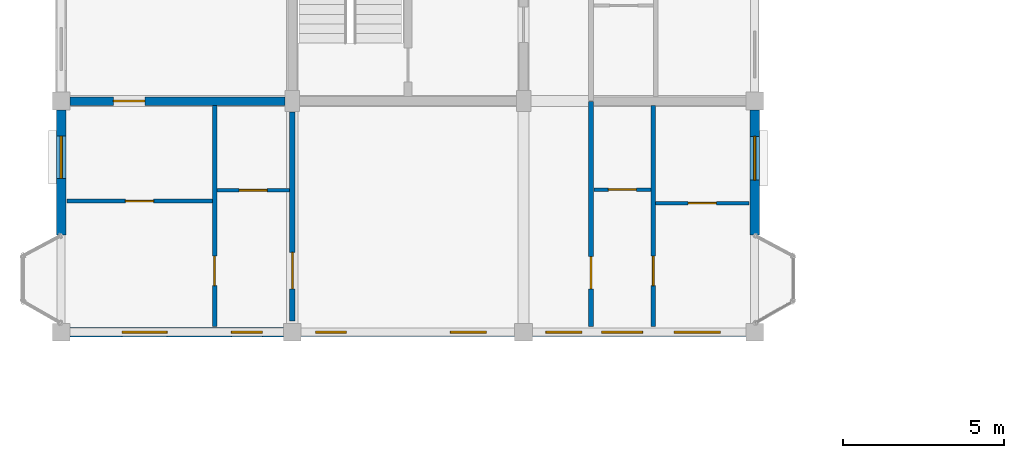
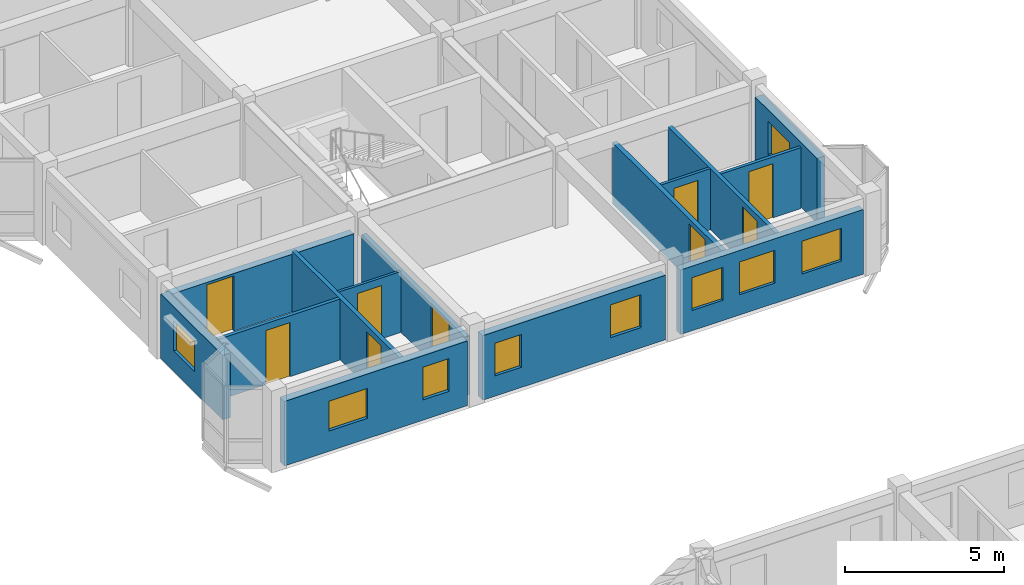
# One storey, part 55 of 77: 14 walls, 9 doors, 9 windows, 18 openings.
"""IFC4 building model written with IfcOpenShell, lengths in metres."""

from ifc_helpers import new_model, si_unit, direction, frame, frame_2d, origin, place, context, subcontext, project, spatial, rectangle, extrude, material, layer, layer_set, type_object, element, fill, save


model = new_model("IFC4")

# Units and contexts
model_context = context("Model", 3, precision=1e-05, world=origin(), true_north=direction((0.0, 1.0)))
body_context = subcontext(model_context, "Body", "Model", "MODEL_VIEW")
ifc_project = project(units=[si_unit("LENGTHUNIT", "METRE"), si_unit("AREAUNIT", "SQUARE_METRE"), si_unit("VOLUMEUNIT", "CUBIC_METRE"), si_unit("PLANEANGLEUNIT", "RADIAN"), si_unit("MASSUNIT", "GRAM", prefix="KILO"), si_unit("THERMODYNAMICTEMPERATUREUNIT", "KELVIN"), si_unit("POWERUNIT", "WATT")], contexts=[model_context])

# Site, building, storey
site_placement = place(None, origin())
site = spatial("IfcSite", under=ifc_project, at=site_placement, CompositionType="ELEMENT")
building_placement = place(site_placement, origin())
building = spatial("IfcBuilding", under=site, at=building_placement, Name="Tavuni Mirador Residences", CompositionType="ELEMENT")
storey_placement = place(building_placement, frame((0.0, 0.0, 10.800048828125)))
storey = spatial("IfcBuildingStorey", under=building, at=storey_placement, Name="L03", CompositionType="ELEMENT", Elevation=10.800048828125)

# Wall, opening, door
ifc_material_1 = material(Name="Precast concrete C40/50", Category="concrete")
ifc_layer_1 = layer(ifc_material_1, 0.1650390625, Name="Precast concrete C40/50", Category="concrete")
ifc_layer_set_1 = layer_set([ifc_layer_1], Name="Precast concrete C40/50")
wall_type_1 = type_object("IfcWallType", Name="WT-CORR165", PredefinedType="PARTITIONING", material=ifc_layer_set_1)
wall_1_placement = place(storey_placement, frame((20.10009765625, 64.97509765625, 0.0), z_axis=(0.0, 0.0, 1.0), x_axis=(0.0, 1.0, 0.0)))
wall_1 = element("IfcWall", 1, at=wall_1_placement, inside=storey, type_object=wall_type_1, Name="CORW-BLK-B-L03-0-00", PredefinedType="PARTITIONING", context=body_context, shape_type="SweptSolid", body=[
    extrude(rectangle(XDim=7.0048828125, YDim=0.1650390625, at=frame_2d((3.50244140625, 0.0))), origin(), (0.0, 0.0, 1.0), 2.344970703125),
])
opening_1_placement = place(wall_1_placement, frame((1.175048828125, 0.0, 0.0)))
opening_1 = element("IfcOpeningElement", 2, at=opening_1_placement, cuts=wall_1, Name="Opening D-03", PredefinedType="OPENING", context=body_context, shape_type="SweptSolid", body=[
    extrude(rectangle(XDim=1.0, YDim=2.14990234375, at=frame_2d((0.5, 1.074951171875))), frame((0.0, 0.092529296875, 0.0), z_axis=(0.0, -1.0, 0.0), x_axis=(1.0, 0.0, 0.0)), (0.0, 0.0, 1.0), 0.18505859375),
])
ifc_material_2 = material(Name="Solid core iroko timber", Category="wood")
door_type_1 = type_object("IfcDoorType", Name="DT-FD60-1000", OperationType="NOTDEFINED", PredefinedType="DOOR", material=ifc_material_2)
door_1_placement = place(opening_1_placement, origin())
door_1 = element("IfcDoor", 3, at=door_1_placement, inside=storey, type_object=door_type_1, Name="DR-2553", OperationType="SINGLE_SWING_RIGHT", OverallHeight=2.14990234375, OverallWidth=1.0, PredefinedType="DOOR", context=body_context, shape_type="SweptSolid", body=[
    extrude(rectangle(XDim=1.0, YDim=2.14990234375, at=frame_2d((0.5, 1.074951171875))), frame((0.0, 0.02490234375, 0.0), z_axis=(0.0, -1.0, 0.0), x_axis=(1.0, 0.0, 0.0)), (0.0, 0.0, 1.0), 0.050048828125),
])
fill(opening_1, door_1)

wall_2_placement = place(storey_placement, frame((10.800048828125, 65.14990234375, 0.0), z_axis=(0.0, 0.0, 1.0), x_axis=(0.0, 1.0, 0.0)))
wall_2 = element("IfcWall", 4, at=wall_2_placement, inside=storey, type_object=wall_type_1, Name="CORW-BLK-B-L03-1-00", PredefinedType="PARTITIONING", context=body_context, shape_type="SweptSolid", body=[
    extrude(rectangle(XDim=6.5, YDim=0.1650390625, at=frame_2d((3.25, 0.0))), origin(), (0.0, 0.0, 1.0), 2.260009765625),
])
opening_2_placement = place(wall_2_placement, frame((1.0, 0.0, 0.0)))
opening_2 = element("IfcOpeningElement", 5, at=opening_2_placement, cuts=wall_2, Name="Opening D-20", PredefinedType="OPENING", context=body_context, shape_type="SweptSolid", body=[
    extrude(rectangle(XDim=1.139892578125, YDim=2.179931640625, at=frame_2d((0.56982421875, 1.08984375))), frame((0.0, 0.092529296875, 0.0), z_axis=(0.0, -1.0, 0.0), x_axis=(1.0, 0.0, 0.0)), (0.0, 0.0, 1.0), 0.18505859375),
])
door_type_2 = type_object("IfcDoorType", Name="DT-FD60-1140", OperationType="NOTDEFINED", PredefinedType="DOOR", material=ifc_material_2)
door_2_placement = place(opening_2_placement, origin())
door_2 = element("IfcDoor", 6, at=door_2_placement, inside=storey, type_object=door_type_2, Name="DR-2558", OperationType="SINGLE_SWING_LEFT", OverallHeight=2.179931640625, OverallWidth=1.139892578125, PredefinedType="DOOR", context=body_context, shape_type="SweptSolid", body=[
    extrude(rectangle(XDim=1.139892578125, YDim=2.179931640625, at=frame_2d((0.56982421875, 1.08984375))), frame((0.0, 0.02490234375, 0.0), z_axis=(0.0, -1.0, 0.0), x_axis=(1.0, 0.0, 0.0)), (0.0, 0.0, 1.0), 0.050048828125),
])
fill(opening_2, door_2)

# Wall, openings, windows
ifc_material_3 = material(Name="Sgraffito lime-rendered precast concrete C40/50", Category="concrete")
ifc_layer_2 = layer(ifc_material_3, 0.2548828125, Name="Sgraffito lime-rendered precast concrete C40/50", Category="concrete")
ifc_layer_set_2 = layer_set([ifc_layer_2], Name="Sgraffito lime-rendered precast concrete C40/50")
wall_type_2 = type_object("IfcWallType", Name="WT-EXT-PC255", PredefinedType="SOLIDWALL", material=ifc_layer_set_2)
wall_3_placement = place(storey_placement, frame((18.27490234375, 64.800048828125, 0.0), z_axis=(0.0, 0.0, 1.0), x_axis=(1.0, 0.0, 0.0)))
wall_3 = element("IfcWall", 7, at=wall_3_placement, inside=storey, type_object=wall_type_2, Name="EW-BLK-B-L03-S02", PredefinedType="SOLIDWALL", context=body_context, shape_type="SweptSolid", body=[
    extrude(rectangle(XDim=6.650146484375, YDim=0.2548828125, at=frame_2d((3.3251953125, 0.0))), origin(), (0.0, 0.0, 1.0), 2.47998046875),
])
opening_3_placement = place(wall_3_placement, frame((0.422607421875, 0.0, 0.780029296875)))
opening_3 = element("IfcOpeningElement", 8, at=opening_3_placement, cuts=wall_3, Name="Opening WN-12", PredefinedType="OPENING", context=body_context, shape_type="SweptSolid", body=[
    extrude(rectangle(XDim=1.1201171875, YDim=1.260009765625, at=frame_2d((0.56005859375, 0.6298828125))), frame((0.0, 0.137451171875, 0.0), z_axis=(0.0, -1.0, 0.0), x_axis=(1.0, 0.0, 0.0)), (0.0, 0.0, 1.0), 0.27490234375),
])
opening_4_placement = place(wall_3_placement, frame((2.155029296875, 0.0, 0.780029296875)))
opening_4 = element("IfcOpeningElement", 9, at=opening_4_placement, cuts=wall_3, Name="Opening WN-14", PredefinedType="OPENING", context=body_context, shape_type="SweptSolid", body=[
    extrude(rectangle(XDim=1.280029296875, YDim=1.260009765625, at=frame_2d((0.64013671875, 0.6298828125))), frame((0.0, 0.137451171875, 0.0), z_axis=(0.0, -1.0, 0.0), x_axis=(1.0, 0.0, 0.0)), (0.0, 0.0, 1.0), 0.27490234375),
])
opening_5_placement = place(wall_3_placement, frame((4.41748046875, 0.0, 0.780029296875)))
opening_5 = element("IfcOpeningElement", 10, at=opening_5_placement, cuts=wall_3, Name="Opening WN-16", PredefinedType="OPENING", context=body_context, shape_type="SweptSolid", body=[
    extrude(rectangle(XDim=1.43994140625, YDim=1.260009765625, at=frame_2d((0.719970703125, 0.6298828125))), frame((0.0, 0.137451171875, 0.0), z_axis=(0.0, -1.0, 0.0), x_axis=(1.0, 0.0, 0.0)), (0.0, 0.0, 1.0), 0.27490234375),
])
ifc_material_4 = material(Name="Laminated solar-control glass", Category="glass")
window_type_1 = type_object("IfcWindowType", Name="WNT-12", PartitioningType="SINGLE_PANEL", PredefinedType="WINDOW", material=ifc_material_4)
window_1_placement = place(opening_3_placement, origin())
window_1 = element("IfcWindow", 11, at=window_1_placement, inside=storey, type_object=window_type_1, Name="WIN-0638", OverallHeight=1.260009765625, OverallWidth=1.1201171875, PartitioningType="SINGLE_PANEL", PredefinedType="WINDOW", context=body_context, shape_type="SweptSolid", body=[
    extrude(rectangle(XDim=1.1201171875, YDim=1.260009765625, at=frame_2d((0.56005859375, 0.6298828125))), frame((0.0, 0.030029296875, 0.0), z_axis=(0.0, -1.0, 0.0), x_axis=(1.0, 0.0, 0.0)), (0.0, 0.0, 1.0), 0.06005859375),
])
fill(opening_3, window_1)
window_type_2 = type_object("IfcWindowType", Name="WNT-14", PartitioningType="SINGLE_PANEL", PredefinedType="WINDOW", material=ifc_material_4)
window_2_placement = place(opening_4_placement, origin())
window_2 = element("IfcWindow", 12, at=window_2_placement, inside=storey, type_object=window_type_2, Name="WIN-0639", OverallHeight=1.260009765625, OverallWidth=1.280029296875, PartitioningType="SINGLE_PANEL", PredefinedType="WINDOW", context=body_context, shape_type="SweptSolid", body=[
    extrude(rectangle(XDim=1.280029296875, YDim=1.260009765625, at=frame_2d((0.64013671875, 0.6298828125))), frame((0.0, 0.030029296875, 0.0), z_axis=(0.0, -1.0, 0.0), x_axis=(1.0, 0.0, 0.0)), (0.0, 0.0, 1.0), 0.06005859375),
])
fill(opening_4, window_2)
window_type_3 = type_object("IfcWindowType", Name="WNT-16", PartitioningType="SINGLE_PANEL", PredefinedType="WINDOW", material=ifc_material_4)
window_3_placement = place(opening_5_placement, origin())
window_3 = element("IfcWindow", 13, at=window_3_placement, inside=storey, type_object=window_type_3, Name="WIN-0640", OverallHeight=1.260009765625, OverallWidth=1.43994140625, PartitioningType="SINGLE_PANEL", PredefinedType="WINDOW", context=body_context, shape_type="SweptSolid", body=[
    extrude(rectangle(XDim=1.43994140625, YDim=1.260009765625, at=frame_2d((0.719970703125, 0.6298828125))), frame((0.0, 0.030029296875, 0.0), z_axis=(0.0, -1.0, 0.0), x_axis=(1.0, 0.0, 0.0)), (0.0, 0.0, 1.0), 0.06005859375),
])
fill(opening_5, window_3)

ifc_layer_3 = layer(ifc_material_3, 0.27490234375, Name="Sgraffito lime-rendered precast concrete C40/50", Category="concrete")
ifc_layer_set_3 = layer_set([ifc_layer_3], Name="Sgraffito lime-rendered precast concrete C40/50")
wall_type_3 = type_object("IfcWallType", Name="WT-EXT-PC275", PredefinedType="SOLIDWALL", material=ifc_layer_set_3)
wall_4_placement = place(storey_placement, frame((11.074951171875, 64.800048828125, 0.0), z_axis=(0.0, 0.0, 1.0), x_axis=(1.0, 0.0, 0.0)))
wall_4 = element("IfcWall", 14, at=wall_4_placement, inside=storey, type_object=wall_type_3, Name="EW-BLK-B-L03-S01", PredefinedType="SOLIDWALL", context=body_context, shape_type="SweptSolid", body=[
    extrude(rectangle(XDim=6.650146484375, YDim=0.27490234375, at=frame_2d((3.3251953125, 0.0))), origin(), (0.0, 0.0, 1.0), 2.47998046875),
])
opening_6_placement = place(wall_4_placement, frame((0.449951171875, 0.0, 0.780029296875)))
opening_6 = element("IfcOpeningElement", 15, at=opening_6_placement, cuts=wall_4, Name="Opening WN-10", PredefinedType="OPENING", context=body_context, shape_type="SweptSolid", body=[
    extrude(rectangle(XDim=0.9599609375, YDim=1.260009765625, at=frame_2d((0.47998046875, 0.6298828125))), frame((0.0, 0.1474609375, 0.0), z_axis=(0.0, -1.0, 0.0), x_axis=(1.0, 0.0, 0.0)), (0.0, 0.0, 1.0), 0.294921875),
])
opening_7_placement = place(wall_4_placement, frame((4.64990234375, 0.0, 0.780029296875)))
opening_7 = element("IfcOpeningElement", 16, at=opening_7_placement, cuts=wall_4, Name="Opening WN-12", PredefinedType="OPENING", context=body_context, shape_type="SweptSolid", body=[
    extrude(rectangle(XDim=1.1201171875, YDim=1.260009765625, at=frame_2d((0.56005859375, 0.6298828125))), frame((0.0, 0.1474609375, 0.0), z_axis=(0.0, -1.0, 0.0), x_axis=(1.0, 0.0, 0.0)), (0.0, 0.0, 1.0), 0.294921875),
])
window_type_4 = type_object("IfcWindowType", Name="WNT-10", PartitioningType="SINGLE_PANEL", PredefinedType="WINDOW", material=ifc_material_4)
window_4_placement = place(opening_6_placement, origin())
window_4 = element("IfcWindow", 17, at=window_4_placement, inside=storey, type_object=window_type_4, Name="WIN-0636", OverallHeight=1.260009765625, OverallWidth=0.9599609375, PartitioningType="SINGLE_PANEL", PredefinedType="WINDOW", context=body_context, shape_type="SweptSolid", body=[
    extrude(rectangle(XDim=0.9599609375, YDim=1.260009765625, at=frame_2d((0.47998046875, 0.6298828125))), frame((0.0, 0.030029296875, 0.0), z_axis=(0.0, -1.0, 0.0), x_axis=(1.0, 0.0, 0.0)), (0.0, 0.0, 1.0), 0.06005859375),
])
fill(opening_6, window_4)
window_5_placement = place(opening_7_placement, origin())
window_5 = element("IfcWindow", 18, at=window_5_placement, inside=storey, type_object=window_type_1, Name="WIN-0637", OverallHeight=1.260009765625, OverallWidth=1.1201171875, PartitioningType="SINGLE_PANEL", PredefinedType="WINDOW", context=body_context, shape_type="SweptSolid", body=[
    extrude(rectangle(XDim=1.1201171875, YDim=1.260009765625, at=frame_2d((0.56005859375, 0.6298828125))), frame((0.0, 0.030029296875, 0.0), z_axis=(0.0, -1.0, 0.0), x_axis=(1.0, 0.0, 0.0)), (0.0, 0.0, 1.0), 0.06005859375),
])
fill(opening_7, window_5)

ifc_layer_4 = layer(ifc_material_3, 0.2900390625, Name="Sgraffito lime-rendered precast concrete C40/50", Category="concrete")
ifc_layer_set_4 = layer_set([ifc_layer_4], Name="Sgraffito lime-rendered precast concrete C40/50")
wall_type_4 = type_object("IfcWallType", Name="WT-EXT-PC290", PredefinedType="SOLIDWALL", material=ifc_layer_set_4)
wall_5_placement = place(storey_placement, frame((3.875, 64.800048828125, 0.0), z_axis=(0.0, 0.0, 1.0), x_axis=(1.0, 0.0, 0.0)))
wall_5 = element("IfcWall", 19, at=wall_5_placement, inside=storey, type_object=wall_type_4, Name="EW-BLK-B-L03-S00", PredefinedType="SOLIDWALL", context=body_context, shape_type="SweptSolid", body=[
    extrude(rectangle(XDim=6.64990234375, YDim=0.2900390625, at=frame_2d((3.324951171875, 0.0))), origin(), (0.0, 0.0, 1.0), 2.47998046875),
])
opening_8_placement = place(wall_5_placement, frame((1.62255859375, 0.0, 0.780029296875)))
opening_8 = element("IfcOpeningElement", 20, at=opening_8_placement, cuts=wall_5, Name="Opening WN-08", PredefinedType="OPENING", context=body_context, shape_type="SweptSolid", body=[
    extrude(rectangle(XDim=1.39990234375, YDim=1.14990234375, at=frame_2d((0.699951171875, 0.574951171875))), frame((0.0, 0.155029296875, 0.0), z_axis=(0.0, -1.0, 0.0), x_axis=(1.0, 0.0, 0.0)), (0.0, 0.0, 1.0), 0.31005859375),
])
opening_9_placement = place(wall_5_placement, frame((5.027587890625, 0.0, 0.780029296875)))
opening_9 = element("IfcOpeningElement", 21, at=opening_9_placement, cuts=wall_5, Name="Opening WN-10", PredefinedType="OPENING", context=body_context, shape_type="SweptSolid", body=[
    extrude(rectangle(XDim=0.9599609375, YDim=1.260009765625, at=frame_2d((0.47998046875, 0.6298828125))), frame((0.0, 0.155029296875, 0.0), z_axis=(0.0, -1.0, 0.0), x_axis=(1.0, 0.0, 0.0)), (0.0, 0.0, 1.0), 0.31005859375),
])
window_type_5 = type_object("IfcWindowType", Name="WNT-08", PartitioningType="SINGLE_PANEL", PredefinedType="WINDOW", material=ifc_material_4)
window_6_placement = place(opening_8_placement, origin())
window_6 = element("IfcWindow", 22, at=window_6_placement, inside=storey, type_object=window_type_5, Name="WIN-0634", OverallHeight=1.14990234375, OverallWidth=1.39990234375, PartitioningType="SINGLE_PANEL", PredefinedType="WINDOW", context=body_context, shape_type="SweptSolid", body=[
    extrude(rectangle(XDim=1.39990234375, YDim=1.14990234375, at=frame_2d((0.699951171875, 0.574951171875))), frame((0.0, 0.030029296875, 0.0), z_axis=(0.0, -1.0, 0.0), x_axis=(1.0, 0.0, 0.0)), (0.0, 0.0, 1.0), 0.06005859375),
])
fill(opening_8, window_6)
window_7_placement = place(opening_9_placement, origin())
window_7 = element("IfcWindow", 23, at=window_7_placement, inside=storey, type_object=window_type_4, Name="WIN-0635", OverallHeight=1.260009765625, OverallWidth=0.9599609375, PartitioningType="SINGLE_PANEL", PredefinedType="WINDOW", context=body_context, shape_type="SweptSolid", body=[
    extrude(rectangle(XDim=0.9599609375, YDim=1.260009765625, at=frame_2d((0.47998046875, 0.6298828125))), frame((0.0, 0.030029296875, 0.0), z_axis=(0.0, -1.0, 0.0), x_axis=(1.0, 0.0, 0.0)), (0.0, 0.0, 1.0), 0.06005859375),
])
fill(opening_9, window_7)

# Wall, opening, window
wall_6_placement = place(storey_placement, frame((25.199951171875, 67.820068359375, 0.0), z_axis=(0.0, 0.0, 1.0), x_axis=(0.0, 1.0, 0.0)))
wall_6 = element("IfcWall", 24, at=wall_6_placement, inside=storey, type_object=wall_type_4, Name="EW-BLK-B-L03-E00", PredefinedType="SOLIDWALL", context=body_context, shape_type="SweptSolid", body=[
    extrude(rectangle(XDim=3.905029296875, YDim=0.2900390625, at=frame_2d((1.95263671875, 0.0))), origin(), (0.0, 0.0, 1.0), 2.47998046875),
])
opening_10_placement = place(wall_6_placement, frame((1.717529296875, 0.0, 0.780029296875)))
opening_10 = element("IfcOpeningElement", 25, at=opening_10_placement, cuts=wall_6, Name="Opening WN-15", PredefinedType="OPENING", context=body_context, shape_type="SweptSolid", body=[
    extrude(rectangle(XDim=1.360107421875, YDim=1.260009765625, at=frame_2d((0.68017578125, 0.6298828125))), frame((0.0, 0.155029296875, 0.0), z_axis=(0.0, -1.0, 0.0), x_axis=(1.0, 0.0, 0.0)), (0.0, 0.0, 1.0), 0.31005859375),
])
window_type_6 = type_object("IfcWindowType", Name="WNT-15", PartitioningType="SINGLE_PANEL", PredefinedType="WINDOW", material=ifc_material_4)
window_8_placement = place(opening_10_placement, origin())
window_8 = element("IfcWindow", 26, at=window_8_placement, inside=storey, type_object=window_type_6, Name="WIN-0641", OverallHeight=1.260009765625, OverallWidth=1.360107421875, PartitioningType="SINGLE_PANEL", PredefinedType="WINDOW", context=body_context, shape_type="SweptSolid", body=[
    extrude(rectangle(XDim=1.360107421875, YDim=1.260009765625, at=frame_2d((0.68017578125, 0.6298828125))), frame((0.0, 0.030029296875, 0.0), z_axis=(0.0, -1.0, 0.0), x_axis=(1.0, 0.0, 0.0)), (0.0, 0.0, 1.0), 0.06005859375),
])
fill(opening_10, window_8)

wall_7_placement = place(storey_placement, frame((3.60009765625, 71.72509765625, 0.0), z_axis=(0.0, 0.0, 1.0), x_axis=(0.0, -1.0, 0.0)))
wall_7 = element("IfcWall", 27, at=wall_7_placement, inside=storey, type_object=wall_type_4, Name="EW-BLK-B-L03-W00", PredefinedType="SOLIDWALL", context=body_context, shape_type="SweptSolid", body=[
    extrude(rectangle(XDim=3.905029296875, YDim=0.2900390625, at=frame_2d((1.95263671875, 0.0))), origin(), (0.0, 0.0, 1.0), 2.47998046875),
])
opening_11_placement = place(wall_7_placement, frame((0.8173828125, 0.0, 0.780029296875)))
opening_11 = element("IfcOpeningElement", 28, at=opening_11_placement, cuts=wall_7, Name="Opening WN-07", PredefinedType="OPENING", context=body_context, shape_type="SweptSolid", body=[
    extrude(rectangle(XDim=1.320068359375, YDim=1.14990234375, at=frame_2d((0.66015625, 0.574951171875))), frame((0.0, 0.155029296875, 0.0), z_axis=(0.0, -1.0, 0.0), x_axis=(1.0, 0.0, 0.0)), (0.0, 0.0, 1.0), 0.31005859375),
])
window_type_7 = type_object("IfcWindowType", Name="WNT-07", PartitioningType="SINGLE_PANEL", PredefinedType="WINDOW", material=ifc_material_4)
window_9_placement = place(opening_11_placement, origin())
window_9 = element("IfcWindow", 29, at=window_9_placement, inside=storey, type_object=window_type_7, Name="WIN-0663", OverallHeight=1.14990234375, OverallWidth=1.320068359375, PartitioningType="SINGLE_PANEL", PredefinedType="WINDOW", context=body_context, shape_type="SweptSolid", body=[
    extrude(rectangle(XDim=1.320068359375, YDim=1.14990234375, at=frame_2d((0.66015625, 0.574951171875))), frame((0.0, 0.030029296875, 0.0), z_axis=(0.0, -1.0, 0.0), x_axis=(1.0, 0.0, 0.0)), (0.0, 0.0, 1.0), 0.06005859375),
])
fill(opening_11, window_9)

# Wall, opening, door
ifc_material_5 = material(Name="Acoustic gypsum and concrete block partition", Category="concrete")
ifc_layer_5 = layer(ifc_material_5, 0.094970703125, Name="Acoustic gypsum and concrete block partition", Category="concrete")
ifc_layer_set_5 = layer_set([ifc_layer_5], Name="Acoustic gypsum and concrete block partition")
wall_type_5 = type_object("IfcWallType", Name="WT-PART095", PredefinedType="PARTITIONING", material=ifc_layer_set_5)
wall_8_placement = place(storey_placement, frame((8.449951171875, 69.219970703125, 0.0), z_axis=(0.0, 0.0, 1.0), x_axis=(1.0, 0.0, 0.0)))
wall_8 = element("IfcWall", 30, at=wall_8_placement, inside=storey, type_object=wall_type_5, Name="PW-BLK-B-L03-W00-IN1", PredefinedType="PARTITIONING", context=body_context, shape_type="SweptSolid", body=[
    extrude(rectangle(XDim=2.260009765625, YDim=0.094970703125, at=frame_2d((1.1298828125, 0.0))), origin(), (0.0, 0.0, 1.0), 2.344970703125),
])
opening_12_placement = place(wall_8_placement, frame((0.695068359375, 0.0, 0.0)))
opening_12 = element("IfcOpeningElement", 31, at=opening_12_placement, cuts=wall_8, Name="Opening D-10", PredefinedType="OPENING", context=body_context, shape_type="SweptSolid", body=[
    extrude(rectangle(XDim=0.8701171875, YDim=2.050048828125, at=frame_2d((0.43505859375, 1.02490234375))), frame((0.0, 0.0576171875, 0.0), z_axis=(0.0, -1.0, 0.0), x_axis=(1.0, 0.0, 0.0)), (0.0, 0.0, 1.0), 0.114990234375),
])
door_type_3 = type_object("IfcDoorType", Name="DT-WC870", OperationType="NOTDEFINED", PredefinedType="DOOR", material=ifc_material_2)
door_3_placement = place(opening_12_placement, origin())
door_3 = element("IfcDoor", 32, at=door_3_placement, inside=storey, type_object=door_type_3, Name="DR-3502", OperationType="SINGLE_SWING_LEFT", OverallHeight=2.050048828125, OverallWidth=0.8701171875, PredefinedType="DOOR", context=body_context, shape_type="SweptSolid", body=[
    extrude(rectangle(XDim=0.8701171875, YDim=2.050048828125, at=frame_2d((0.43505859375, 1.02490234375))), frame((0.0, 0.02490234375, 0.0), z_axis=(0.0, -1.0, 0.0), x_axis=(1.0, 0.0, 0.0)), (0.0, 0.0, 1.0), 0.050048828125),
])
fill(opening_12, door_3)

ifc_layer_6 = layer(ifc_material_5, 0.10498046875, Name="Acoustic gypsum and concrete block partition", Category="concrete")
ifc_layer_set_6 = layer_set([ifc_layer_6], Name="Acoustic gypsum and concrete block partition")
wall_type_6 = type_object("IfcWallType", Name="WT-PART105", PredefinedType="PARTITIONING", material=ifc_layer_set_6)
wall_9_placement = place(storey_placement, frame((20.18994140625, 69.239990234375, 0.0), z_axis=(0.0, 0.0, 1.0), x_axis=(1.0, 0.0, 0.0)))
wall_9 = element("IfcWall", 33, at=wall_9_placement, inside=storey, type_object=wall_type_6, Name="PW-BLK-B-L03-E00-IN1", PredefinedType="PARTITIONING", context=body_context, shape_type="SweptSolid", body=[
    extrude(rectangle(XDim=1.780029296875, YDim=0.10498046875, at=frame_2d((0.89013671875, 0.0))), origin(), (0.0, 0.0, 1.0), 2.344970703125),
])
opening_13_placement = place(wall_9_placement, frame((0.455078125, 0.0, 0.0)))
opening_13 = element("IfcOpeningElement", 34, at=opening_13_placement, cuts=wall_9, Name="Opening D-10", PredefinedType="OPENING", context=body_context, shape_type="SweptSolid", body=[
    extrude(rectangle(XDim=0.8701171875, YDim=2.050048828125, at=frame_2d((0.43505859375, 1.02490234375))), frame((0.0, 0.0625, 0.0), z_axis=(0.0, -1.0, 0.0), x_axis=(1.0, 0.0, 0.0)), (0.0, 0.0, 1.0), 0.125),
])
door_4_placement = place(opening_13_placement, origin())
door_4 = element("IfcDoor", 35, at=door_4_placement, inside=storey, type_object=door_type_3, Name="DR-3505", OperationType="SINGLE_SWING_LEFT", OverallHeight=2.050048828125, OverallWidth=0.8701171875, PredefinedType="DOOR", context=body_context, shape_type="SweptSolid", body=[
    extrude(rectangle(XDim=0.8701171875, YDim=2.050048828125, at=frame_2d((0.43505859375, 1.02490234375))), frame((0.0, 0.02490234375, 0.0), z_axis=(0.0, -1.0, 0.0), x_axis=(1.0, 0.0, 0.0)), (0.0, 0.0, 1.0), 0.050048828125),
])
fill(opening_13, door_4)

ifc_layer_7 = layer(ifc_material_5, 0.114990234375, Name="Acoustic gypsum and concrete block partition", Category="concrete")
ifc_layer_set_7 = layer_set([ifc_layer_7], Name="Acoustic gypsum and concrete block partition")
wall_type_7 = type_object("IfcWallType", Name="WT-PART115", PredefinedType="PARTITIONING", material=ifc_layer_set_7)
wall_10_placement = place(storey_placement, frame((22.110107421875, 68.820068359375, 0.0), z_axis=(0.0, 0.0, 1.0), x_axis=(1.0, 0.0, 0.0)))
wall_10 = element("IfcWall", 36, at=wall_10_placement, inside=storey, type_object=wall_type_7, Name="PW-BLK-B-L03-E00-OUT", PredefinedType="PARTITIONING", context=body_context, shape_type="SweptSolid", body=[
    extrude(rectangle(XDim=2.914794921875, YDim=0.114990234375, at=frame_2d((1.45751953125, 0.0))), origin(), (0.0, 0.0, 1.0), 2.344970703125),
])
opening_14_placement = place(wall_10_placement, frame((1.017578125, 0.0, 0.0)))
opening_14 = element("IfcOpeningElement", 37, at=opening_14_placement, cuts=wall_10, Name="Opening D-08", PredefinedType="OPENING", context=body_context, shape_type="SweptSolid", body=[
    extrude(rectangle(XDim=0.8798828125, YDim=2.080078125, at=frame_2d((0.43994140625, 1.0400390625))), frame((0.0, 0.0673828125, 0.0), z_axis=(0.0, -1.0, 0.0), x_axis=(1.0, 0.0, 0.0)), (0.0, 0.0, 1.0), 0.135009765625),
])
door_type_4 = type_object("IfcDoorType", Name="DT-BED880", OperationType="NOTDEFINED", PredefinedType="DOOR", material=ifc_material_2)
door_5_placement = place(opening_14_placement, origin())
door_5 = element("IfcDoor", 38, at=door_5_placement, inside=storey, type_object=door_type_4, Name="DR-3504", OperationType="SINGLE_SWING_RIGHT", OverallHeight=2.080078125, OverallWidth=0.8798828125, PredefinedType="DOOR", context=body_context, shape_type="SweptSolid", body=[
    extrude(rectangle(XDim=0.8798828125, YDim=2.080078125, at=frame_2d((0.43994140625, 1.0400390625))), frame((0.0, 0.02490234375, 0.0), z_axis=(0.0, -1.0, 0.0), x_axis=(1.0, 0.0, 0.0)), (0.0, 0.0, 1.0), 0.050048828125),
])
fill(opening_14, door_5)

ifc_layer_8 = layer(ifc_material_5, 0.125, Name="Acoustic gypsum and concrete block partition", Category="concrete")
ifc_layer_set_8 = layer_set([ifc_layer_8], Name="Acoustic gypsum and concrete block partition")
wall_type_8 = type_object("IfcWallType", Name="WT-PART125", PredefinedType="PARTITIONING", material=ifc_layer_set_8)
wall_11_placement = place(storey_placement, frame((3.77490234375, 68.8798828125, 0.0), z_axis=(0.0, 0.0, 1.0), x_axis=(1.0, 0.0, 0.0)))
wall_11 = element("IfcWall", 39, at=wall_11_placement, inside=storey, type_object=wall_type_8, Name="PW-BLK-B-L03-W00-OUT", PredefinedType="PARTITIONING", context=body_context, shape_type="SweptSolid", body=[
    extrude(rectangle(XDim=4.53515625, YDim=0.125, at=frame_2d((2.267578125, 0.0))), origin(), (0.0, 0.0, 1.0), 2.344970703125),
])
opening_15_placement = place(wall_11_placement, frame((1.827392578125, 0.0, 0.0)))
opening_15 = element("IfcOpeningElement", 40, at=opening_15_placement, cuts=wall_11, Name="Opening D-08", PredefinedType="OPENING", context=body_context, shape_type="SweptSolid", body=[
    extrude(rectangle(XDim=0.8798828125, YDim=2.080078125, at=frame_2d((0.43994140625, 1.0400390625))), frame((0.0, 0.072509765625, 0.0), z_axis=(0.0, -1.0, 0.0), x_axis=(1.0, 0.0, 0.0)), (0.0, 0.0, 1.0), 0.14501953125),
])
door_6_placement = place(opening_15_placement, origin())
door_6 = element("IfcDoor", 41, at=door_6_placement, inside=storey, type_object=door_type_4, Name="DR-3501", OperationType="SINGLE_SWING_RIGHT", OverallHeight=2.080078125, OverallWidth=0.8798828125, PredefinedType="DOOR", context=body_context, shape_type="SweptSolid", body=[
    extrude(rectangle(XDim=0.8798828125, YDim=2.080078125, at=frame_2d((0.43994140625, 1.0400390625))), frame((0.0, 0.02490234375, 0.0), z_axis=(0.0, -1.0, 0.0), x_axis=(1.0, 0.0, 0.0)), (0.0, 0.0, 1.0), 0.050048828125),
])
fill(opening_15, door_6)

ifc_layer_9 = layer(ifc_material_5, 0.139892578125, Name="Acoustic gypsum and concrete block partition", Category="concrete")
ifc_layer_set_9 = layer_set([ifc_layer_9], Name="Acoustic gypsum and concrete block partition")
wall_type_9 = type_object("IfcWallType", Name="WT-PART140", PredefinedType="PARTITIONING", material=ifc_layer_set_9)
wall_12_placement = place(storey_placement, frame((22.0400390625, 64.97509765625, 0.0), z_axis=(0.0, 0.0, 1.0), x_axis=(0.0, 1.0, 0.0)))
wall_12 = element("IfcWall", 42, at=wall_12_placement, inside=storey, type_object=wall_type_9, Name="PW-BLK-B-L03-E00-MID", PredefinedType="PARTITIONING", context=body_context, shape_type="SweptSolid", body=[
    extrude(rectangle(XDim=6.885009765625, YDim=0.139892578125, at=frame_2d((3.4423828125, 0.0))), origin(), (0.0, 0.0, 1.0), 2.344970703125),
])
opening_16_placement = place(wall_12_placement, frame((1.27490234375, 0.0, 0.0)))
opening_16 = element("IfcOpeningElement", 43, at=opening_16_placement, cuts=wall_12, Name="Opening D-06", PredefinedType="OPENING", context=body_context, shape_type="SweptSolid", body=[
    extrude(rectangle(XDim=0.919921875, YDim=2.10009765625, at=frame_2d((0.4599609375, 1.050048828125))), frame((0.0, 0.080078125, 0.0), z_axis=(0.0, -1.0, 0.0), x_axis=(1.0, 0.0, 0.0)), (0.0, 0.0, 1.0), 0.159912109375),
])
door_type_5 = type_object("IfcDoorType", Name="DT-INT920", OperationType="NOTDEFINED", PredefinedType="DOOR", material=ifc_material_2)
door_7_placement = place(opening_16_placement, origin())
door_7 = element("IfcDoor", 44, at=door_7_placement, inside=storey, type_object=door_type_5, Name="DR-3506", OperationType="SINGLE_SWING_RIGHT", OverallHeight=2.10009765625, OverallWidth=0.919921875, PredefinedType="DOOR", context=body_context, shape_type="SweptSolid", body=[
    extrude(rectangle(XDim=0.919921875, YDim=2.10009765625, at=frame_2d((0.4599609375, 1.050048828125))), frame((0.0, 0.02490234375, 0.0), z_axis=(0.0, -1.0, 0.0), x_axis=(1.0, 0.0, 0.0)), (0.0, 0.0, 1.0), 0.050048828125),
])
fill(opening_16, door_7)

ifc_layer_10 = layer(ifc_material_5, 0.14990234375, Name="Acoustic gypsum and concrete block partition", Category="concrete")
ifc_layer_set_10 = layer_set([ifc_layer_10], Name="Acoustic gypsum and concrete block partition")
wall_type_10 = type_object("IfcWallType", Name="WT-PART150", PredefinedType="PARTITIONING", material=ifc_layer_set_10)
wall_13_placement = place(storey_placement, frame((8.3798828125, 64.97509765625, 0.0), z_axis=(0.0, 0.0, 1.0), x_axis=(0.0, 1.0, 0.0)))
wall_13 = element("IfcWall", 45, at=wall_13_placement, inside=storey, type_object=wall_type_10, Name="PW-BLK-B-L03-W00-MID", PredefinedType="PARTITIONING", context=body_context, shape_type="SweptSolid", body=[
    extrude(rectangle(XDim=6.885009765625, YDim=0.14990234375, at=frame_2d((3.4423828125, 0.0))), origin(), (0.0, 0.0, 1.0), 2.344970703125),
])
opening_17_placement = place(wall_13_placement, frame((1.27490234375, 0.0, 0.0)))
opening_17 = element("IfcOpeningElement", 46, at=opening_17_placement, cuts=wall_13, Name="Opening D-06", PredefinedType="OPENING", context=body_context, shape_type="SweptSolid", body=[
    extrude(rectangle(XDim=0.919921875, YDim=2.10009765625, at=frame_2d((0.4599609375, 1.050048828125))), frame((0.0, 0.0849609375, 0.0), z_axis=(0.0, -1.0, 0.0), x_axis=(1.0, 0.0, 0.0)), (0.0, 0.0, 1.0), 0.169921875),
])
door_8_placement = place(opening_17_placement, origin())
door_8 = element("IfcDoor", 47, at=door_8_placement, inside=storey, type_object=door_type_5, Name="DR-3503", OperationType="SINGLE_SWING_RIGHT", OverallHeight=2.10009765625, OverallWidth=0.919921875, PredefinedType="DOOR", context=body_context, shape_type="SweptSolid", body=[
    extrude(rectangle(XDim=0.919921875, YDim=2.10009765625, at=frame_2d((0.4599609375, 1.050048828125))), frame((0.0, 0.02490234375, 0.0), z_axis=(0.0, -1.0, 0.0), x_axis=(1.0, 0.0, 0.0)), (0.0, 0.0, 1.0), 0.050048828125),
])
fill(opening_17, door_8)

ifc_layer_11 = layer(ifc_material_1, 0.264892578125, Name="Precast concrete C40/50", Category="concrete")
ifc_layer_set_11 = layer_set([ifc_layer_11], Name="Precast concrete C40/50")
wall_type_11 = type_object("IfcWallType", Name="WT-XW265", PredefinedType="SOLIDWALL", material=ifc_layer_set_11)
wall_14_placement = place(storey_placement, frame((3.875, 72.0, 0.0), z_axis=(0.0, 0.0, 1.0), x_axis=(1.0, 0.0, 0.0)))
wall_14 = element("IfcWall", 48, at=wall_14_placement, inside=storey, type_object=wall_type_11, Name="XW-BLK-B-L03-W-01", PredefinedType="SOLIDWALL", context=body_context, shape_type="SweptSolid", body=[
    extrude(rectangle(XDim=6.699951171875, YDim=0.264892578125, at=frame_2d((3.35009765625, 0.0))), origin(), (0.0, 0.0, 1.0), 2.2099609375),
])
opening_18_placement = place(wall_14_placement, frame((1.35009765625, 0.0, 0.0)))
opening_18 = element("IfcOpeningElement", 49, at=opening_18_placement, cuts=wall_14, Name="Opening D-04", PredefinedType="OPENING", context=body_context, shape_type="SweptSolid", body=[
    extrude(rectangle(XDim=0.97998046875, YDim=2.1201171875, at=frame_2d((0.489990234375, 1.06005859375))), frame((0.0, 0.142578125, 0.0), z_axis=(0.0, -1.0, 0.0), x_axis=(1.0, 0.0, 0.0)), (0.0, 0.0, 1.0), 0.284912109375),
])
door_type_6 = type_object("IfcDoorType", Name="DT-FD60-980", OperationType="NOTDEFINED", PredefinedType="DOOR", material=ifc_material_2)
door_9_placement = place(opening_18_placement, origin())
door_9 = element("IfcDoor", 50, at=door_9_placement, inside=storey, type_object=door_type_6, Name="DR-4714", OperationType="SINGLE_SWING_LEFT", OverallHeight=2.1201171875, OverallWidth=0.97998046875, PredefinedType="DOOR", context=body_context, shape_type="SweptSolid", body=[
    extrude(rectangle(XDim=0.97998046875, YDim=2.1201171875, at=frame_2d((0.489990234375, 1.06005859375))), frame((0.0, 0.02490234375, 0.0), z_axis=(0.0, -1.0, 0.0), x_axis=(1.0, 0.0, 0.0)), (0.0, 0.0, 1.0), 0.050048828125),
])
fill(opening_18, door_9)

save(model, "model.ifc")
